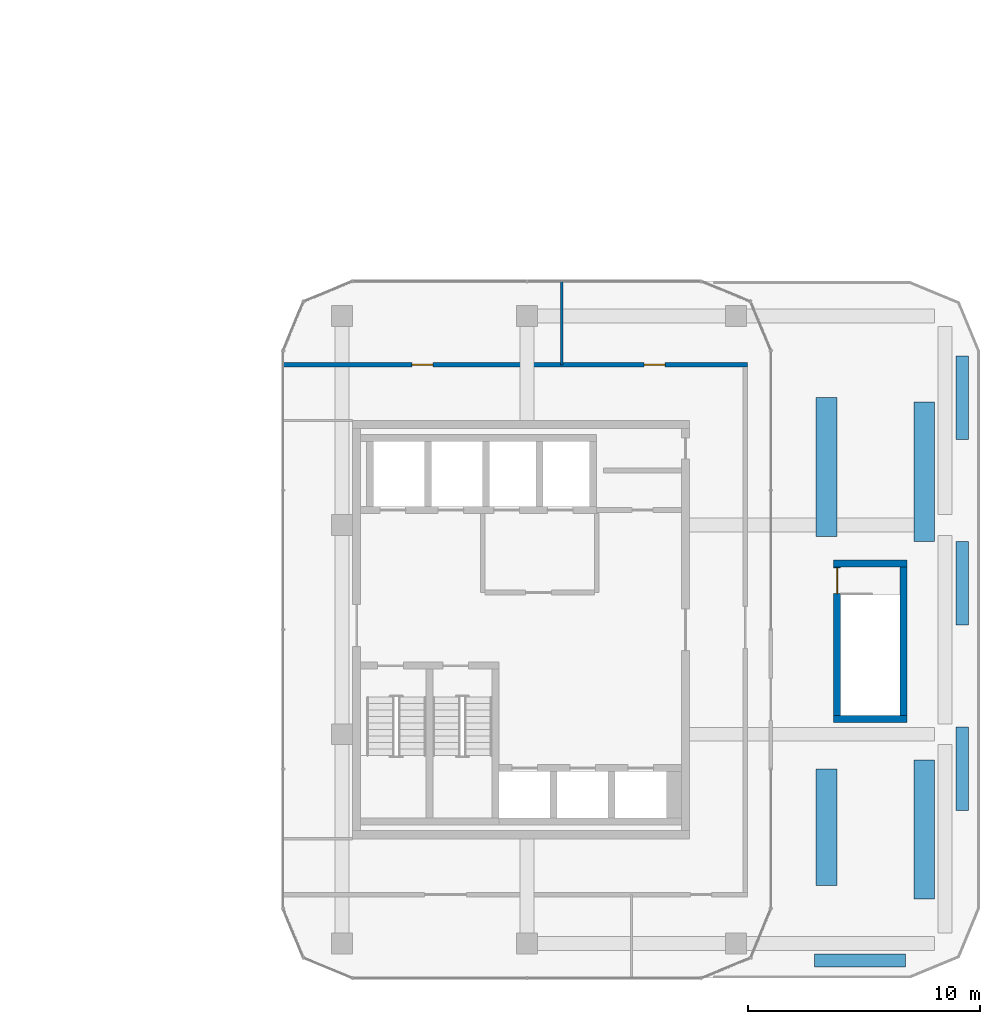
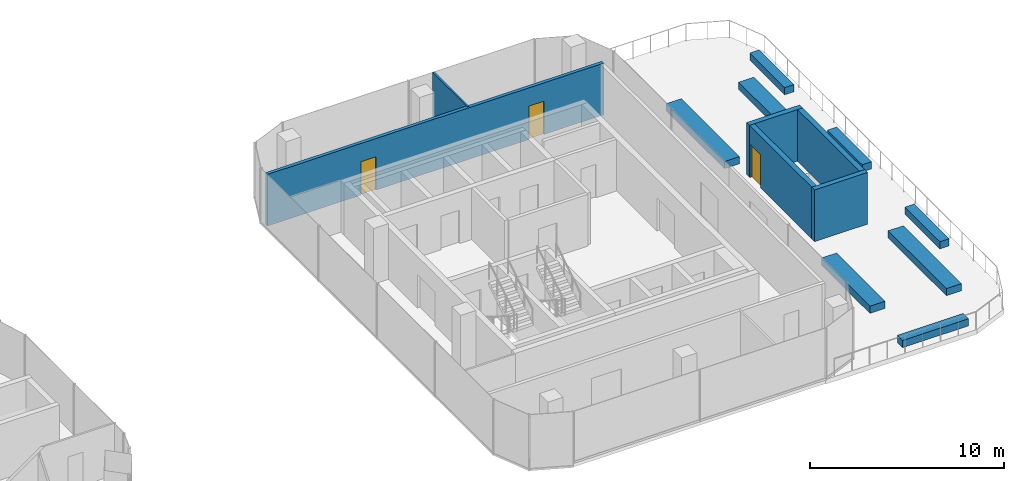
# One storey, part 18 of 22: 14 walls, 3 doors, 3 openings.
"""IFC4 building model written with IfcOpenShell, lengths in metres."""

from ifc_helpers import new_model, si_unit, direction, frame, frame_2d, origin, place, context, subcontext, project, spatial, rectangle, extrude, material, layer, layer_set, type_object, element, fill, save


model = new_model("IFC4")

# Units and contexts
model_context = context("Model", 3, precision=1e-05, world=origin(), true_north=direction((0.0, 1.0)))
body_context = subcontext(model_context, "Body", "Model", "MODEL_VIEW")
ifc_project = project(units=[si_unit("LENGTHUNIT", "METRE"), si_unit("AREAUNIT", "SQUARE_METRE"), si_unit("VOLUMEUNIT", "CUBIC_METRE"), si_unit("PLANEANGLEUNIT", "RADIAN"), si_unit("MASSUNIT", "GRAM", prefix="KILO")], contexts=[model_context])

# Site, building, storey
site_placement = place(None, origin())
site = spatial("IfcSite", under=ifc_project, at=site_placement, CompositionType="ELEMENT")
building_placement = place(site_placement, origin())
building = spatial("IfcBuilding", under=site, at=building_placement, Name="Plateau Cross Towers", CompositionType="ELEMENT")
storey_placement = place(building_placement, frame((0.0, 0.0, 116.800048828125)))
storey = spatial("IfcBuildingStorey", under=building, at=storey_placement, Name="L30", CompositionType="ELEMENT", Elevation=116.800048828125)

# Wall, opening, door
ifc_material_1 = material(Name="Concrete C60/75", Category="concrete")
ifc_layer_1 = layer(ifc_material_1, 0.300048828125)
ifc_layer_set_1 = layer_set([ifc_layer_1], Name="Concrete C60/75")
wall_type_1 = type_object("IfcWallType", Name="Core shaft wall 300", PredefinedType="SHEAR", material=ifc_layer_set_1)
wall_1_placement = place(storey_placement, frame((95.85009765625, 5.300048828125, 0.0), z_axis=(0.0, 0.0, 1.0), x_axis=(0.0, 1.0, 0.0)))
wall_1 = element("IfcWall", 1, at=wall_1_placement, inside=storey, type_object=wall_type_1, Name="B-sb3-W@L30", PredefinedType="SHEAR", context=body_context, shape_type="SweptSolid", body=[
    extrude(rectangle(XDim=6.39990234375, YDim=0.300048828125, at=frame_2d((3.199951171875, 0.0))), origin(), (0.0, 0.0, 1.0), 3.25),
])
opening_1_placement = place(wall_1_placement, frame((5.25, 0.0, 0.0)))
opening_1 = element("IfcOpeningElement", 2, at=opening_1_placement, cuts=wall_1, Name="Opening SD", PredefinedType="OPENING", context=body_context, shape_type="SweptSolid", body=[
    extrude(rectangle(XDim=1.10009765625, YDim=2.10009765625, at=frame_2d((0.550048828125, 1.050048828125))), frame((0.0, 0.159912109375, 0.0), z_axis=(0.0, -1.0, 0.0), x_axis=(1.0, 0.0, 0.0)), (0.0, 0.0, 1.0), 0.320068359375),
])
ifc_material_2 = material(Name="Steel, fire-resisting leaf", Category="steel")
door_type_1 = type_object("IfcDoorType", Name="Stair door 1100", OperationType="NOTDEFINED", PredefinedType="DOOR", material=ifc_material_2)
door_1_placement = place(opening_1_placement, origin())
door_1 = element("IfcDoor", 3, at=door_1_placement, inside=storey, type_object=door_type_1, Name="Stair door SD", OperationType="SINGLE_SWING_LEFT", OverallHeight=2.10009765625, OverallWidth=1.10009765625, PredefinedType="DOOR", context=body_context, shape_type="SweptSolid", body=[
    extrude(rectangle(XDim=1.10009765625, YDim=2.10009765625, at=frame_2d((0.550048828125, 1.050048828125))), frame((0.0, 0.02490234375, 0.0), z_axis=(0.0, -1.0, 0.0), x_axis=(1.0, 0.0, 0.0)), (0.0, 0.0, 1.0), 0.050048828125),
])
fill(opening_1, door_1)

# Walls
wall_2_placement = place(storey_placement, frame((98.699951171875, 5.300048828125, 0.0), z_axis=(0.0, 0.0, 1.0), x_axis=(0.0, 1.0, 0.0)))
element("IfcWall", 4, at=wall_2_placement, inside=storey, type_object=wall_type_1, Name="B-sb3-E@L30", PredefinedType="SHEAR", context=body_context, shape_type="SweptSolid", body=[
    extrude(rectangle(XDim=6.39990234375, YDim=0.300048828125, at=frame_2d((3.199951171875, 0.0))), origin(), (0.0, 0.0, 1.0), 3.25),
])
for number, where, z_axis, x_axis, name in (
    (5, (95.699951171875, 5.14990234375, 0.0), (0.0, 0.0, 1.0), (1.0, 0.0, 0.0), "B-sb3-S@L30"),
    (6, (95.699951171875, 11.85009765625, 0.0), (0.0, 0.0, 1.0), (1.0, 0.0, 0.0), "B-sb3-N@L30"),
):
    element("IfcWall", number, at=place(storey_placement, frame(where, z_axis=z_axis, x_axis=x_axis)), inside=storey, type_object=wall_type_1, Name=name, PredefinedType="SHEAR", context=body_context, shape_type="SweptSolid", body=[
        extrude(rectangle(XDim=3.150146484375, YDim=0.300048828125, at=frame_2d((1.5751953125, 0.0))), origin(), (0.0, 0.0, 1.0), 3.25),
    ])

# Wall, openings, doors
ifc_material_3 = material(Name="Gypsum board on steel studs, two layers each side", Category="steel")
ifc_layer_2 = layer(ifc_material_3, 0.199951171875)
ifc_layer_set_2 = layer_set([ifc_layer_2], Name="Gypsum board on steel studs, two layers each side")
wall_type_2 = type_object("IfcWallType", Name="Corridor wall 200", PredefinedType="PARTITIONING", material=ifc_layer_set_2)
wall_3_placement = place(storey_placement, frame((72.0, 20.39990234375, 0.0), z_axis=(0.0, 0.0, 1.0), x_axis=(1.0, 0.0, 0.0)))
wall_3 = element("IfcWall", 7, at=wall_3_placement, inside=storey, type_object=wall_type_2, Name="Ring wall", PredefinedType="PARTITIONING", context=body_context, shape_type="SweptSolid", body=[
    extrude(rectangle(XDim=20.0, YDim=0.199951171875, at=frame_2d((10.0, 0.0))), origin(), (0.0, 0.0, 1.0), 3.25),
])
opening_2_placement = place(wall_3_placement, frame((5.550048828125, 0.0, 0.0)))
opening_2 = element("IfcOpeningElement", 8, at=opening_2_placement, cuts=wall_3, Name="Opening D-BR9", PredefinedType="OPENING", context=body_context, shape_type="SweptSolid", body=[
    extrude(rectangle(XDim=0.89990234375, YDim=2.10009765625, at=frame_2d((0.449951171875, 1.050048828125))), frame((0.0, 0.10986328125, 0.0), z_axis=(0.0, -1.0, 0.0), x_axis=(1.0, 0.0, 0.0)), (0.0, 0.0, 1.0), 0.219970703125),
])
opening_3_placement = place(wall_3_placement, frame((15.550048828125, 0.0, 0.0)))
opening_3 = element("IfcOpeningElement", 9, at=opening_3_placement, cuts=wall_3, Name="Opening D-BR9", PredefinedType="OPENING", context=body_context, shape_type="SweptSolid", body=[
    extrude(rectangle(XDim=0.89990234375, YDim=2.10009765625, at=frame_2d((0.449951171875, 1.050048828125))), frame((0.0, 0.10986328125, 0.0), z_axis=(0.0, -1.0, 0.0), x_axis=(1.0, 0.0, 0.0)), (0.0, 0.0, 1.0), 0.219970703125),
])
ifc_material_4 = material(Name="Timber leaf", Category="wood")
door_type_2 = type_object("IfcDoorType", Name="Office room door 900", OperationType="NOTDEFINED", PredefinedType="DOOR", material=ifc_material_4)
door_2_placement = place(opening_2_placement, origin())
door_2 = element("IfcDoor", 10, at=door_2_placement, inside=storey, type_object=door_type_2, Name="Door D-BR9", OperationType="SINGLE_SWING_LEFT", OverallHeight=2.10009765625, OverallWidth=0.89990234375, PredefinedType="DOOR", context=body_context, shape_type="SweptSolid", body=[
    extrude(rectangle(XDim=0.89990234375, YDim=2.10009765625, at=frame_2d((0.449951171875, 1.050048828125))), frame((0.0, 0.02490234375, 0.0), z_axis=(0.0, -1.0, 0.0), x_axis=(1.0, 0.0, 0.0)), (0.0, 0.0, 1.0), 0.050048828125),
])
fill(opening_2, door_2)
door_3_placement = place(opening_3_placement, origin())
door_3 = element("IfcDoor", 11, at=door_3_placement, inside=storey, type_object=door_type_2, Name="Door D-BR9", OperationType="SINGLE_SWING_LEFT", OverallHeight=2.10009765625, OverallWidth=0.89990234375, PredefinedType="DOOR", context=body_context, shape_type="SweptSolid", body=[
    extrude(rectangle(XDim=0.89990234375, YDim=2.10009765625, at=frame_2d((0.449951171875, 1.050048828125))), frame((0.0, 0.02490234375, 0.0), z_axis=(0.0, -1.0, 0.0), x_axis=(1.0, 0.0, 0.0)), (0.0, 0.0, 1.0), 0.050048828125),
])
fill(opening_3, door_3)

# Walls
ifc_material_5 = material(Name="Gypsum board on steel studs", Category="steel")
ifc_layer_3 = layer(ifc_material_5, 0.10009765625)
ifc_layer_set_3 = layer_set([ifc_layer_3], Name="Gypsum board on steel studs")
wall_type_3 = type_object("IfcWallType", Name="Office partition 100", PredefinedType="PARTITIONING", material=ifc_layer_set_3)
wall_4_placement = place(storey_placement, frame((84.0, 20.39990234375, 0.0), z_axis=(0.0, 0.0, 1.0), x_axis=(0.0, 1.0, 0.0)))
element("IfcWall", 12, at=wall_4_placement, inside=storey, type_object=wall_type_3, Name="Part wall", PredefinedType="PARTITIONING", context=body_context, shape_type="SweptSolid", body=[
    extrude(rectangle(XDim=3.60009765625, YDim=0.10009765625, at=frame_2d((1.800048828125, 0.0))), origin(), (0.0, 0.0, 1.0), 3.25),
])
ifc_material_6 = material(Name="Concrete C30/37", Category="concrete")
ifc_layer_4 = layer(ifc_material_6, 0.550048828125)
ifc_layer_set_4 = layer_set([ifc_layer_4], Name="Concrete C30/37")
wall_type_4 = type_object("IfcWallType", Name="Planter upstand 550", PredefinedType="STANDARD", material=ifc_layer_set_4)
for number, where, z_axis, x_axis, name in (
    (13, (101.235107421875, 20.7861328125, 0.0), (0.0, 0.0, 1.0), (0.0, -1.0, 0.0), "Planter 1"),
    (14, (101.235107421875, 12.79541015625, 0.0), (0.0, 0.0, 1.0), (0.0, -1.0, 0.0), "Planter 2"),
    (15, (101.235107421875, 4.8046875, 0.0), (0.0, 0.0, 1.0), (0.0, -1.0, 0.0), "Planter 3"),
):
    element("IfcWall", number, at=place(storey_placement, frame(where, z_axis=z_axis, x_axis=x_axis)), inside=storey, type_object=wall_type_4, Name=name, PredefinedType="STANDARD", context=body_context, shape_type="SweptSolid", body=[
        extrude(rectangle(XDim=3.595458984375, YDim=0.550048828125, at=frame_2d((1.7978515625, 0.0))), origin(), (0.0, 0.0, 1.0), 0.449951171875),
    ])
wall_5_placement = place(storey_placement, frame((98.7861328125, -5.235107421875, 0.0), z_axis=(0.0, 0.0, 1.0), x_axis=(-1.0, 0.0, 0.0)))
element("IfcWall", 16, at=wall_5_placement, inside=storey, type_object=wall_type_4, Name="Planter 4", PredefinedType="STANDARD", context=body_context, shape_type="SweptSolid", body=[
    extrude(rectangle(XDim=3.91650390625, YDim=0.550048828125, at=frame_2d((1.958251953125, 0.0))), origin(), (0.0, 0.0, 1.0), 0.449951171875),
])
ifc_layer_5 = layer(ifc_material_6, 0.89990234375)
ifc_layer_set_5 = layer_set([ifc_layer_5], Name="Concrete C30/37")
wall_type_5 = type_object("IfcWallType", Name="Terrace planting bed 900", PredefinedType="STANDARD", material=ifc_layer_set_5)
for number, where, z_axis, x_axis, name in (
    (17, (99.60009765625, 12.800048828125, 0.0), (0.0, 0.0, 1.0), (0.0, 1.0, 0.0), "Terrace planting bed 1"),
    (18, (99.60009765625, -2.60009765625, 0.0), (0.0, 0.0, 1.0), (0.0, 1.0, 0.0), "Terrace planting bed 2"),
    (19, (95.39990234375, 13.0, 0.0), (0.0, 0.0, 1.0), (0.0, 1.0, 0.0), "Terrace planting bed 3"),
):
    element("IfcWall", number, at=place(storey_placement, frame(where, z_axis=z_axis, x_axis=x_axis)), inside=storey, type_object=wall_type_5, Name=name, PredefinedType="STANDARD", context=body_context, shape_type="SweptSolid", body=[
        extrude(rectangle(XDim=6.0, YDim=0.89990234375, at=frame_2d((3.0, 0.0))), origin(), (0.0, 0.0, 1.0), 0.449951171875),
    ])
wall_6_placement = place(storey_placement, frame((95.39990234375, -2.0, 0.0), z_axis=(0.0, 0.0, 1.0), x_axis=(0.0, 1.0, 0.0)))
element("IfcWall", 20, at=wall_6_placement, inside=storey, type_object=wall_type_5, Name="Terrace planting bed 4", PredefinedType="STANDARD", context=body_context, shape_type="SweptSolid", body=[
    extrude(rectangle(XDim=5.0, YDim=0.89990234375, at=frame_2d((2.5, 0.0))), origin(), (0.0, 0.0, 1.0), 0.449951171875),
])

save(model, "model.ifc")
